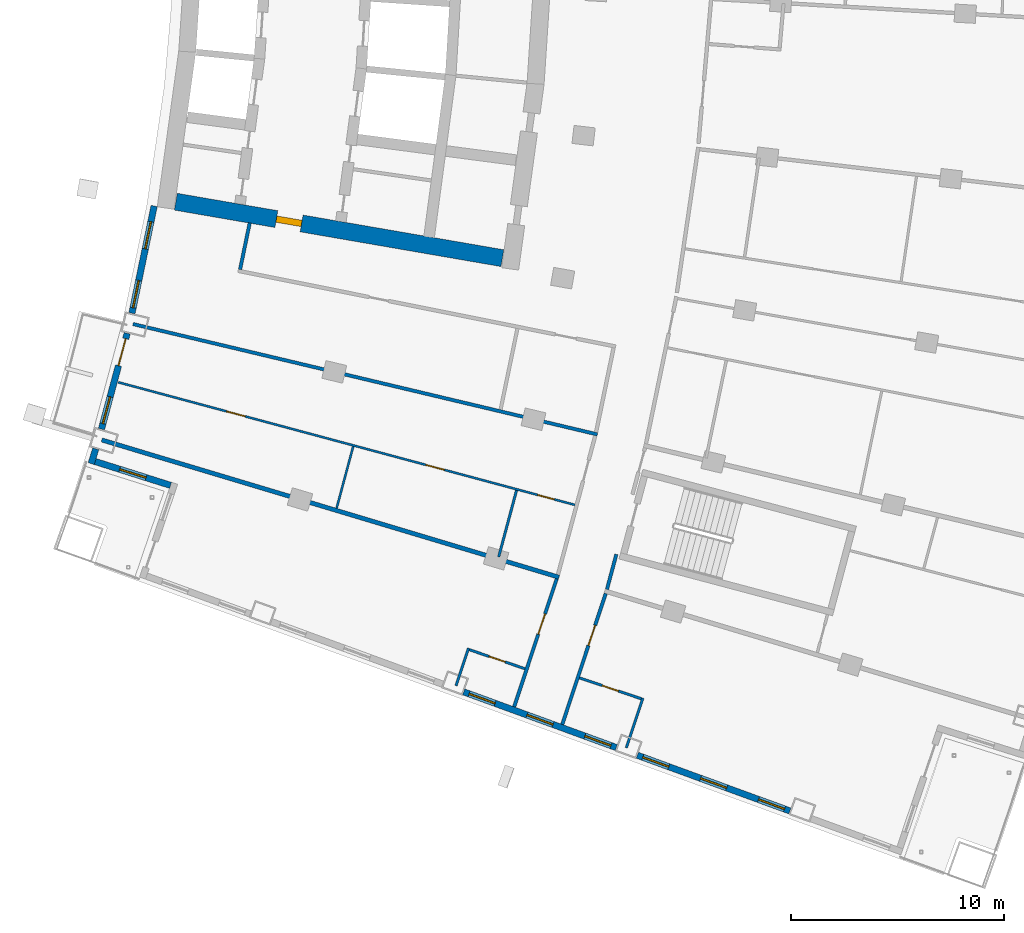
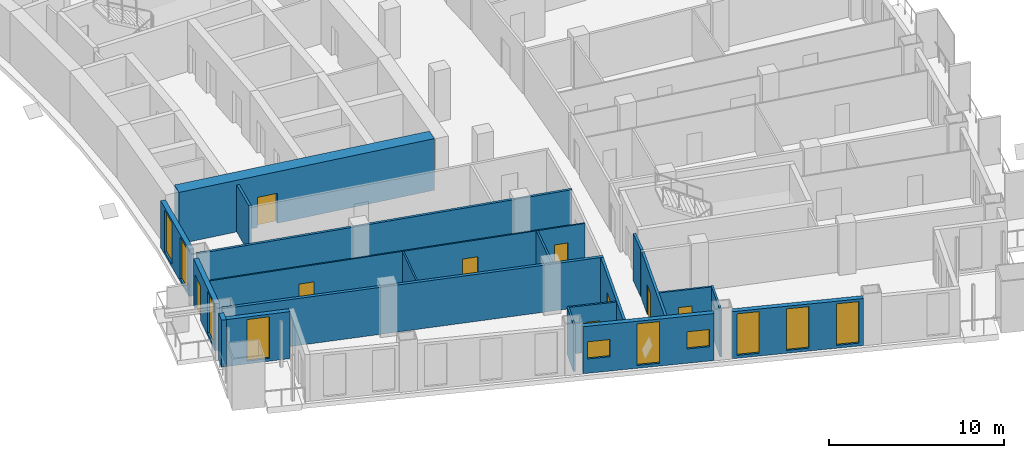
# One storey, part 13 of 25: 20 walls, 10 windows, 9 doors, 19 openings.
"""IFC4 building model written with IfcOpenShell, lengths in metres."""

from ifc_helpers import new_model, si_unit, direction, frame, frame_2d, origin, place, context, subcontext, project, spatial, rectangle, extrude, material, layer, layer_set, type_object, element, fill, save


model = new_model("IFC4")

# Units and contexts
model_context = context("Model", 3, precision=1e-05, world=origin(), true_north=direction((0.0, 1.0)))
body_context = subcontext(model_context, "Body", "Model", "MODEL_VIEW")
ifc_project = project(units=[si_unit("LENGTHUNIT", "METRE"), si_unit("AREAUNIT", "SQUARE_METRE"), si_unit("VOLUMEUNIT", "CUBIC_METRE"), si_unit("PLANEANGLEUNIT", "RADIAN"), si_unit("MASSUNIT", "GRAM", prefix="KILO")], contexts=[model_context])

# Site, building, storey
site_placement = place(None, origin())
site = spatial("IfcSite", under=ifc_project, at=site_placement, CompositionType="ELEMENT")
building_placement = place(site_placement, origin())
building = spatial("IfcBuilding", under=site, at=building_placement, Name="Alderwake Tower", CompositionType="ELEMENT")
storey_placement = place(building_placement, frame((0.0, 0.0, 89.60009765625)))
storey = spatial("IfcBuildingStorey", under=building, at=storey_placement, Name="L21", CompositionType="ELEMENT", Elevation=89.60009765625)

# Wall, opening, door
ifc_material_1 = material(Name="Concrete C70/85", Category="concrete")
ifc_layer_1 = layer(ifc_material_1, 0.800048828125)
ifc_layer_set_1 = layer_set([ifc_layer_1], Name="Core wall outer 800 C70-85")
wall_type_1 = type_object("IfcWallType", Name="Core wall outer 800 C70-85", PredefinedType="SHEAR", material=ifc_layer_set_1)
wall_1_placement = place(storey_placement, frame((31.20458984375, 41.776611328125, 0.0), z_axis=(0.0, 0.0, 1.0), x_axis=(-0.985386537175, 0.170333121719, 0.0)))
wall_1 = element("IfcWall", 1, at=wall_1_placement, inside=storey, type_object=wall_type_1, Name="Core wall CW.071", PredefinedType="SHEAR", context=body_context, shape_type="SweptSolid", body=[
    extrude(rectangle(XDim=15.537109375, YDim=0.800048828125, at=frame_2d((7.7685546875, 0.0))), origin(), (0.0, 0.0, 1.0), 3.599853515625),
])
opening_1_placement = place(wall_1_placement, frame((9.5537109375, 0.0, 0.0)))
opening_1 = element("IfcOpeningElement", 2, at=opening_1_placement, cuts=wall_1, Name="Opening C003", PredefinedType="OPENING", context=body_context, shape_type="SweptSolid", body=[
    extrude(rectangle(XDim=1.199951171875, YDim=2.10009765625, at=frame_2d((0.60009765625, 1.050048828125))), frame((0.0, 0.409912109375, 0.0), z_axis=(0.0, -1.0, 0.0), x_axis=(1.0, 0.0, 0.0)), (0.0, 0.0, 1.0), 0.820068359375),
])
ifc_material_2 = material(Name="Steel-framed fire door leaf", Category="steel")
door_type_1 = type_object("IfcDoorType", Name="Core lobby exit door 1200 fire-rated", OperationType="SINGLE_SWING_LEFT", PredefinedType="DOOR", material=ifc_material_2)
door_1_placement = place(opening_1_placement, origin())
door_1 = element("IfcDoor", 3, at=door_1_placement, inside=storey, type_object=door_type_1, Name="Lobby door", OperationType="SINGLE_SWING_LEFT", OverallHeight=2.10009765625, OverallWidth=1.199951171875, PredefinedType="DOOR", context=body_context, shape_type="SweptSolid", body=[
    extrude(rectangle(XDim=1.199951171875, YDim=2.10009765625, at=frame_2d((0.60009765625, 1.050048828125))), frame((0.0, 0.14990234375, 0.0), z_axis=(0.0, -1.0, 0.0), x_axis=(1.0, 0.0, 0.0)), (0.0, 0.0, 1.0), 0.300048828125),
])
fill(opening_1, door_1)

# Walls
ifc_material_3 = material(Name="Gypsum board on metal studs, rated")
ifc_layer_2 = layer(ifc_material_3, 0.159912109375)
ifc_layer_set_2 = layer_set([ifc_layer_2], Name="Corridor wall 160")
wall_type_2 = type_object("IfcWallType", Name="Corridor wall 160", PredefinedType="PARTITIONING", material=ifc_layer_set_2)
wall_2_placement = place(storey_placement, frame((13.884033203125, 38.68798828125, 0.0), z_axis=(0.0, 0.0, 1.0), x_axis=(0.972893462073, -0.231253781493, 0.0)))
element("IfcWall", 4, at=wall_2_placement, inside=storey, type_object=wall_type_2, Name="WL/L21/W15", PredefinedType="PARTITIONING", context=body_context, shape_type="SweptSolid", body=[
    extrude(rectangle(XDim=22.38037109375, YDim=0.159912109375, at=frame_2d((11.190185546875, 0.0))), origin(), (0.0, 0.0, 1.0), 3.27978515625),
])
wall_3_placement = place(storey_placement, frame((19.35888671875, 43.430908203125, 0.0), z_axis=(0.0, 0.0, 1.0), x_axis=(-0.202554916658, -0.979270905183, 0.0)))
element("IfcWall", 5, at=wall_3_placement, inside=storey, type_object=wall_type_2, Name="WL/L21/W19", PredefinedType="PARTITIONING", context=body_context, shape_type="SweptSolid", body=[
    extrude(rectangle(XDim=2.229736328125, YDim=0.159912109375, at=frame_2d((1.11474609375, 0.0))), origin(), (0.0, 0.0, 1.0), 3.27978515625),
])

# Wall, opening, door
wall_4_placement = place(storey_placement, frame((31.7548828125, 20.739013671875, 0.0), z_axis=(0.0, 0.0, 1.0), x_axis=(0.31554473692, 0.948910701279, 0.0)))
wall_4 = element("IfcWall", 6, at=wall_4_placement, inside=storey, type_object=wall_type_2, Name="WL/L21/W21", PredefinedType="PARTITIONING", context=body_context, shape_type="SweptSolid", body=[
    extrude(rectangle(XDim=6.327392578125, YDim=0.159912109375, at=frame_2d((3.16357421875, 0.0))), origin(), (0.0, 0.0, 1.0), 3.27978515625),
])
opening_2_placement = place(wall_4_placement, frame((3.59130859375, 0.0, 0.0)))
opening_2 = element("IfcOpeningElement", 7, at=opening_2_placement, cuts=wall_4, Name="Opening R05-U09.1", PredefinedType="OPENING", context=body_context, shape_type="SweptSolid", body=[
    extrude(rectangle(XDim=1.0, YDim=2.10009765625, at=frame_2d((0.5, 1.050048828125))), frame((0.0, 0.08984375, 0.0), z_axis=(0.0, -1.0, 0.0), x_axis=(1.0, 0.0, 0.0)), (0.0, 0.0, 1.0), 0.179931640625),
])
ifc_material_4 = material(Name="Solid timber leaf in steel frame", Category="steel")
door_type_2 = type_object("IfcDoorType", Name="Flat entrance door 1000 fire-rated", OperationType="SINGLE_SWING_LEFT", PredefinedType="DOOR", material=ifc_material_4)
door_2_placement = place(opening_2_placement, origin())
door_2 = element("IfcDoor", 8, at=door_2_placement, inside=storey, type_object=door_type_2, Name="DR/L21/U09.1", OperationType="SINGLE_SWING_LEFT", OverallHeight=2.10009765625, OverallWidth=1.0, PredefinedType="DOOR", context=body_context, shape_type="SweptSolid", body=[
    extrude(rectangle(XDim=1.0, YDim=2.10009765625, at=frame_2d((0.5, 1.050048828125))), frame((0.0, 0.02490234375, 0.0), z_axis=(0.0, -1.0, 0.0), x_axis=(1.0, 0.0, 0.0)), (0.0, 0.0, 1.0), 0.050048828125),
])
fill(opening_2, door_2)

wall_5_placement = place(storey_placement, frame((36.049560546875, 26.052978515625, 0.0), z_axis=(0.0, 0.0, 1.0), x_axis=(-0.315151894598, -0.949041244273, 0.0)))
wall_5 = element("IfcWall", 9, at=wall_5_placement, inside=storey, type_object=wall_type_2, Name="WL/L21/W24", PredefinedType="PARTITIONING", context=body_context, shape_type="SweptSolid", body=[
    extrude(rectangle(XDim=6.468505859375, YDim=0.159912109375, at=frame_2d((3.234375, 0.0))), origin(), (0.0, 0.0, 1.0), 3.27978515625),
])
opening_3_placement = place(wall_5_placement, frame((1.570068359375, 0.0, 0.0)))
opening_3 = element("IfcOpeningElement", 10, at=opening_3_placement, cuts=wall_5, Name="Opening R05-U03.1", PredefinedType="OPENING", context=body_context, shape_type="SweptSolid", body=[
    extrude(rectangle(XDim=1.0, YDim=2.10009765625, at=frame_2d((0.5, 1.050048828125))), frame((0.0, 0.08984375, 0.0), z_axis=(0.0, -1.0, 0.0), x_axis=(1.0, 0.0, 0.0)), (0.0, 0.0, 1.0), 0.179931640625),
])
door_3_placement = place(opening_3_placement, origin())
door_3 = element("IfcDoor", 11, at=door_3_placement, inside=storey, type_object=door_type_2, Name="DR/L21/U03.1", OperationType="SINGLE_SWING_LEFT", OverallHeight=2.10009765625, OverallWidth=1.0, PredefinedType="DOOR", context=body_context, shape_type="SweptSolid", body=[
    extrude(rectangle(XDim=1.0, YDim=2.10009765625, at=frame_2d((0.5, 1.050048828125))), frame((0.0, 0.02490234375, 0.0), z_axis=(0.0, -1.0, 0.0), x_axis=(1.0, 0.0, 0.0)), (0.0, 0.0, 1.0), 0.050048828125),
])
fill(opening_3, door_3)

# Walls
wall_6_placement = place(storey_placement, frame((36.10693359375, 26.24462890625, 0.0), z_axis=(0.0, 0.0, 1.0), x_axis=(0.259346865847, 0.965784242559, 0.0)))
element("IfcWall", 12, at=wall_6_placement, inside=storey, type_object=wall_type_2, Name="WL/L21/W26", PredefinedType="PARTITIONING", context=body_context, shape_type="SweptSolid", body=[
    extrude(rectangle(XDim=1.704833984375, YDim=0.159912109375, at=frame_2d((0.8525390625, 0.0))), origin(), (0.0, 0.0, 1.0), 3.27978515625),
])
ifc_material_5 = material(Name="Precast concrete C50/60 spandrel panel", Category="concrete")
ifc_layer_3 = layer(ifc_material_5, 0.300048828125)
ifc_layer_set_3 = layer_set([ifc_layer_3], Name="External wall EW1 Precast concrete C50/60 spandrel")
wall_type_3 = type_object("IfcWallType", Name="External wall EW1 Precast concrete C50/60 spandrel", PredefinedType="SOLIDWALL", material=ifc_layer_set_3)
wall_7_placement = place(storey_placement, frame((12.14013671875, 32.83837890625, 0.0), z_axis=(0.0, 0.0, 1.0), x_axis=(-0.294604532955, -0.955619259518, 0.0)))
element("IfcWall", 13, at=wall_7_placement, inside=storey, type_object=wall_type_3, Name="External wall 1", PredefinedType="SOLIDWALL", context=body_context, shape_type="SweptSolid", body=[
    extrude(rectangle(XDim=0.7275390625, YDim=0.300048828125, at=frame_2d((0.36376953125, 0.0))), origin(), (0.0, 0.0, 1.0), 3.27978515625),
])

# Wall, openings, windows
wall_8_placement = place(storey_placement, frame((14.878173828125, 44.223388671875, 0.0), z_axis=(0.0, 0.0, 1.0), x_axis=(-0.202723539143, -0.979236011734, 0.0)))
wall_8 = element("IfcWall", 14, at=wall_8_placement, inside=storey, type_object=wall_type_3, Name="External wall 35", PredefinedType="SOLIDWALL", context=body_context, shape_type="SweptSolid", body=[
    extrude(rectangle(XDim=5.134033203125, YDim=0.300048828125, at=frame_2d((2.56689453125, 0.0))), origin(), (0.0, 0.0, 1.0), 3.27978515625),
])
opening_4_placement = place(wall_8_placement, frame((0.75634765625, 0.0, 0.199951171875)))
opening_4 = element("IfcOpeningElement", 15, at=opening_4_placement, cuts=wall_8, Name="Opening W1", PredefinedType="OPENING", context=body_context, shape_type="SweptSolid", body=[
    extrude(rectangle(XDim=1.300048828125, YDim=2.89990234375, at=frame_2d((0.64990234375, 1.449951171875))), frame((0.0, 0.159912109375, 0.0), z_axis=(0.0, -1.0, 0.0), x_axis=(1.0, 0.0, 0.0)), (0.0, 0.0, 1.0), 0.320068359375),
])
opening_5_placement = place(wall_8_placement, frame((3.569091796875, 0.0, 0.199951171875)))
opening_5 = element("IfcOpeningElement", 16, at=opening_5_placement, cuts=wall_8, Name="Opening W1", PredefinedType="OPENING", context=body_context, shape_type="SweptSolid", body=[
    extrude(rectangle(XDim=1.300048828125, YDim=2.89990234375, at=frame_2d((0.64990234375, 1.449951171875))), frame((0.0, 0.159912109375, 0.0), z_axis=(0.0, -1.0, 0.0), x_axis=(1.0, 0.0, 0.0)), (0.0, 0.0, 1.0), 0.320068359375),
])
ifc_material_6 = material(Name="Bronze tinted glass in aluminium frame", Category="aluminium")
window_type_1 = type_object("IfcWindowType", Name="Window W1 tall fixed and vent", PartitioningType="DOUBLE_PANEL_VERTICAL", PredefinedType="WINDOW", material=ifc_material_6)
window_1_placement = place(opening_4_placement, origin())
window_1 = element("IfcWindow", 17, at=window_1_placement, inside=storey, type_object=window_type_1, Name="Window W1 tall fixed and vent", OverallHeight=2.89990234375, OverallWidth=1.300048828125, PartitioningType="DOUBLE_PANEL_VERTICAL", PredefinedType="WINDOW", context=body_context, shape_type="SweptSolid", body=[
    extrude(rectangle(XDim=1.300048828125, YDim=2.89990234375, at=frame_2d((0.64990234375, 1.449951171875))), frame((0.0, 0.030029296875, 0.0), z_axis=(0.0, -1.0, 0.0), x_axis=(1.0, 0.0, 0.0)), (0.0, 0.0, 1.0), 0.06005859375),
])
fill(opening_4, window_1)
window_2_placement = place(opening_5_placement, origin())
window_2 = element("IfcWindow", 18, at=window_2_placement, inside=storey, type_object=window_type_1, Name="Window W1 tall fixed and vent", OverallHeight=2.89990234375, OverallWidth=1.300048828125, PartitioningType="DOUBLE_PANEL_VERTICAL", PredefinedType="WINDOW", context=body_context, shape_type="SweptSolid", body=[
    extrude(rectangle(XDim=1.300048828125, YDim=2.89990234375, at=frame_2d((0.64990234375, 1.449951171875))), frame((0.0, 0.030029296875, 0.0), z_axis=(0.0, -1.0, 0.0), x_axis=(1.0, 0.0, 0.0)), (0.0, 0.0, 1.0), 0.06005859375),
])
fill(opening_5, window_2)

# Wall, openings, door, window
wall_9_placement = place(storey_placement, frame((13.61328125, 38.254150390625, 0.0), z_axis=(0.0, 0.0, 1.0), x_axis=(-0.259468933642, -0.965751454814, 0.0)))
wall_9 = element("IfcWall", 19, at=wall_9_placement, inside=storey, type_object=wall_type_3, Name="External wall 36", PredefinedType="SOLIDWALL", context=body_context, shape_type="SweptSolid", body=[
    extrude(rectangle(XDim=4.65087890625, YDim=0.300048828125, at=frame_2d((2.325439453125, 0.0))), origin(), (0.0, 0.0, 1.0), 3.27978515625),
])
opening_6_placement = place(wall_9_placement, frame((0.26708984375, 0.0, 0.0)))
opening_6 = element("IfcOpeningElement", 20, at=opening_6_placement, cuts=wall_9, Name="Opening D15", PredefinedType="OPENING", context=body_context, shape_type="SweptSolid", body=[
    extrude(rectangle(XDim=1.300048828125, YDim=2.39990234375, at=frame_2d((0.64990234375, 1.199951171875))), frame((0.0, 0.159912109375, 0.0), z_axis=(0.0, -1.0, 0.0), x_axis=(1.0, 0.0, 0.0)), (0.0, 0.0, 1.0), 0.320068359375),
])
opening_7_placement = place(wall_9_placement, frame((3.083984375, 0.0, 0.199951171875)))
opening_7 = element("IfcOpeningElement", 21, at=opening_7_placement, cuts=wall_9, Name="Opening W1", PredefinedType="OPENING", context=body_context, shape_type="SweptSolid", body=[
    extrude(rectangle(XDim=1.300048828125, YDim=2.89990234375, at=frame_2d((0.64990234375, 1.449951171875))), frame((0.0, 0.159912109375, 0.0), z_axis=(0.0, -1.0, 0.0), x_axis=(1.0, 0.0, 0.0)), (0.0, 0.0, 1.0), 0.320068359375),
])
ifc_material_7 = material(Name="Bronze tinted glass in aluminium frame", Category="aluminium")
door_type_3 = type_object("IfcDoorType", Name="Balcony door BD sliding", OperationType="SLIDING_TO_LEFT", PredefinedType="DOOR", material=ifc_material_7)
door_4_placement = place(opening_6_placement, origin())
door_4 = element("IfcDoor", 22, at=door_4_placement, inside=storey, type_object=door_type_3, Name="Door D15", OperationType="SLIDING_TO_LEFT", OverallHeight=2.39990234375, OverallWidth=1.300048828125, PredefinedType="DOOR", context=body_context, shape_type="SweptSolid", body=[
    extrude(rectangle(XDim=1.300048828125, YDim=2.39990234375, at=frame_2d((0.64990234375, 1.199951171875))), frame((0.0, 0.02490234375, 0.0), z_axis=(0.0, -1.0, 0.0), x_axis=(1.0, 0.0, 0.0)), (0.0, 0.0, 1.0), 0.050048828125),
])
fill(opening_6, door_4)
window_3_placement = place(opening_7_placement, origin())
window_3 = element("IfcWindow", 23, at=window_3_placement, inside=storey, type_object=window_type_1, Name="Window W1 tall fixed and vent", OverallHeight=2.89990234375, OverallWidth=1.300048828125, PartitioningType="DOUBLE_PANEL_VERTICAL", PredefinedType="WINDOW", context=body_context, shape_type="SweptSolid", body=[
    extrude(rectangle(XDim=1.300048828125, YDim=2.89990234375, at=frame_2d((0.64990234375, 1.449951171875))), frame((0.0, 0.030029296875, 0.0), z_axis=(0.0, -1.0, 0.0), x_axis=(1.0, 0.0, 0.0)), (0.0, 0.0, 1.0), 0.06005859375),
])
fill(opening_7, window_3)

# Wall, opening, window
ifc_material_8 = material(Name="Bronze metal cladding on lightweight framing")
ifc_layer_4 = layer(ifc_material_8, 0.300048828125)
ifc_layer_set_4 = layer_set([ifc_layer_4], Name="External wall EW2 bronze metal cladding")
wall_type_4 = type_object("IfcWallType", Name="External wall EW2 bronze metal cladding", PredefinedType="SOLIDWALL", material=ifc_layer_set_4)
wall_10_placement = place(storey_placement, frame((12.113037109375, 32.2412109375, 0.0), z_axis=(0.0, 0.0, 1.0), x_axis=(0.953458128271, -0.301525451054, 0.0)))
wall_10 = element("IfcWall", 24, at=wall_10_placement, inside=storey, type_object=wall_type_4, Name="External wall 2", PredefinedType="SOLIDWALL", context=body_context, shape_type="SweptSolid", body=[
    extrude(rectangle(XDim=3.705810546875, YDim=0.300048828125, at=frame_2d((1.85302734375, 0.0))), origin(), (0.0, 0.0, 1.0), 3.27978515625),
])
opening_8_placement = place(wall_10_placement, frame((1.202880859375, 0.0, 0.199951171875)))
opening_8 = element("IfcOpeningElement", 25, at=opening_8_placement, cuts=wall_10, Name="Opening W1", PredefinedType="OPENING", context=body_context, shape_type="SweptSolid", body=[
    extrude(rectangle(XDim=1.300048828125, YDim=2.89990234375, at=frame_2d((0.64990234375, 1.449951171875))), frame((0.0, 0.159912109375, 0.0), z_axis=(0.0, -1.0, 0.0), x_axis=(1.0, 0.0, 0.0)), (0.0, 0.0, 1.0), 0.320068359375),
])
window_4_placement = place(opening_8_placement, origin())
window_4 = element("IfcWindow", 26, at=window_4_placement, inside=storey, type_object=window_type_1, Name="Window W1 tall fixed and vent", OverallHeight=2.89990234375, OverallWidth=1.300048828125, PartitioningType="DOUBLE_PANEL_VERTICAL", PredefinedType="WINDOW", context=body_context, shape_type="SweptSolid", body=[
    extrude(rectangle(XDim=1.300048828125, YDim=2.89990234375, at=frame_2d((0.64990234375, 1.449951171875))), frame((0.0, 0.030029296875, 0.0), z_axis=(0.0, -1.0, 0.0), x_axis=(1.0, 0.0, 0.0)), (0.0, 0.0, 1.0), 0.06005859375),
])
fill(opening_8, window_4)

# Wall, openings, windows
wall_11_placement = place(storey_placement, frame((29.39306640625, 21.44091796875, 0.0), z_axis=(0.0, 0.0, 1.0), x_axis=(0.939383555457, -0.342868102536, 0.0)))
wall_11 = element("IfcWall", 27, at=wall_11_placement, inside=storey, type_object=wall_type_4, Name="External wall 6", PredefinedType="SOLIDWALL", context=body_context, shape_type="SweptSolid", body=[
    extrude(rectangle(XDim=7.612548828125, YDim=0.300048828125, at=frame_2d((3.80615234375, 0.0))), origin(), (0.0, 0.0, 1.0), 3.27978515625),
])
opening_9_placement = place(wall_11_placement, frame((0.267333984375, 0.0, 1.0)))
opening_9 = element("IfcOpeningElement", 28, at=opening_9_placement, cuts=wall_11, Name="Opening W2", PredefinedType="OPENING", context=body_context, shape_type="SweptSolid", body=[
    extrude(rectangle(XDim=1.300048828125, YDim=1.199951171875, at=frame_2d((0.64990234375, 0.60009765625))), frame((0.0, 0.159912109375, 0.0), z_axis=(0.0, -1.0, 0.0), x_axis=(1.0, 0.0, 0.0)), (0.0, 0.0, 1.0), 0.320068359375),
])
opening_10_placement = place(wall_11_placement, frame((3.15625, 0.0, 0.199951171875)))
opening_10 = element("IfcOpeningElement", 29, at=opening_10_placement, cuts=wall_11, Name="Opening W1", PredefinedType="OPENING", context=body_context, shape_type="SweptSolid", body=[
    extrude(rectangle(XDim=1.300048828125, YDim=2.89990234375, at=frame_2d((0.64990234375, 1.449951171875))), frame((0.0, 0.159912109375, 0.0), z_axis=(0.0, -1.0, 0.0), x_axis=(1.0, 0.0, 0.0)), (0.0, 0.0, 1.0), 0.320068359375),
])
opening_11_placement = place(wall_11_placement, frame((6.045166015625, 0.0, 1.0)))
opening_11 = element("IfcOpeningElement", 30, at=opening_11_placement, cuts=wall_11, Name="Opening W2", PredefinedType="OPENING", context=body_context, shape_type="SweptSolid", body=[
    extrude(rectangle(XDim=1.300048828125, YDim=1.199951171875, at=frame_2d((0.64990234375, 0.60009765625))), frame((0.0, 0.159912109375, 0.0), z_axis=(0.0, -1.0, 0.0), x_axis=(1.0, 0.0, 0.0)), (0.0, 0.0, 1.0), 0.320068359375),
])
window_5_placement = place(opening_10_placement, origin())
window_5 = element("IfcWindow", 31, at=window_5_placement, inside=storey, type_object=window_type_1, Name="Window W1 tall fixed and vent", OverallHeight=2.89990234375, OverallWidth=1.300048828125, PartitioningType="DOUBLE_PANEL_VERTICAL", PredefinedType="WINDOW", context=body_context, shape_type="SweptSolid", body=[
    extrude(rectangle(XDim=1.300048828125, YDim=2.89990234375, at=frame_2d((0.64990234375, 1.449951171875))), frame((0.0, 0.030029296875, 0.0), z_axis=(0.0, -1.0, 0.0), x_axis=(1.0, 0.0, 0.0)), (0.0, 0.0, 1.0), 0.06005859375),
])
fill(opening_10, window_5)
ifc_material_9 = material(Name="Bronze tinted glass in aluminium frame", Category="aluminium")
window_type_2 = type_object("IfcWindowType", Name="Window W2 kitchen and bath", PartitioningType="SINGLE_PANEL", PredefinedType="WINDOW", material=ifc_material_9)
window_6_placement = place(opening_9_placement, origin())
window_6 = element("IfcWindow", 32, at=window_6_placement, inside=storey, type_object=window_type_2, Name="Window W2 kitchen and bath", OverallHeight=1.199951171875, OverallWidth=1.300048828125, PartitioningType="SINGLE_PANEL", PredefinedType="WINDOW", context=body_context, shape_type="SweptSolid", body=[
    extrude(rectangle(XDim=1.300048828125, YDim=1.199951171875, at=frame_2d((0.64990234375, 0.60009765625))), frame((0.0, 0.030029296875, 0.0), z_axis=(0.0, -1.0, 0.0), x_axis=(1.0, 0.0, 0.0)), (0.0, 0.0, 1.0), 0.06005859375),
])
fill(opening_9, window_6)
window_7_placement = place(opening_11_placement, origin())
window_7 = element("IfcWindow", 33, at=window_7_placement, inside=storey, type_object=window_type_2, Name="Window W2 kitchen and bath", OverallHeight=1.199951171875, OverallWidth=1.300048828125, PartitioningType="SINGLE_PANEL", PredefinedType="WINDOW", context=body_context, shape_type="SweptSolid", body=[
    extrude(rectangle(XDim=1.300048828125, YDim=1.199951171875, at=frame_2d((0.64990234375, 0.60009765625))), frame((0.0, 0.030029296875, 0.0), z_axis=(0.0, -1.0, 0.0), x_axis=(1.0, 0.0, 0.0)), (0.0, 0.0, 1.0), 0.06005859375),
])
fill(opening_11, window_7)

wall_12_placement = place(storey_placement, frame((37.534423828125, 18.46923828125, 0.0), z_axis=(0.0, 0.0, 1.0), x_axis=(0.939373225656, -0.342896402606, 0.0)))
wall_12 = element("IfcWall", 34, at=wall_12_placement, inside=storey, type_object=wall_type_4, Name="External wall 7", PredefinedType="SOLIDWALL", context=body_context, shape_type="SweptSolid", body=[
    extrude(rectangle(XDim=7.612548828125, YDim=0.300048828125, at=frame_2d((3.80615234375, 0.0))), origin(), (0.0, 0.0, 1.0), 3.27978515625),
])
opening_12_placement = place(wall_12_placement, frame((0.267333984375, 0.0, 0.199951171875)))
opening_12 = element("IfcOpeningElement", 35, at=opening_12_placement, cuts=wall_12, Name="Opening W1", PredefinedType="OPENING", context=body_context, shape_type="SweptSolid", body=[
    extrude(rectangle(XDim=1.300048828125, YDim=2.89990234375, at=frame_2d((0.64990234375, 1.449951171875))), frame((0.0, 0.159912109375, 0.0), z_axis=(0.0, -1.0, 0.0), x_axis=(1.0, 0.0, 0.0)), (0.0, 0.0, 1.0), 0.320068359375),
])
opening_13_placement = place(wall_12_placement, frame((3.15625, 0.0, 0.199951171875)))
opening_13 = element("IfcOpeningElement", 36, at=opening_13_placement, cuts=wall_12, Name="Opening W1", PredefinedType="OPENING", context=body_context, shape_type="SweptSolid", body=[
    extrude(rectangle(XDim=1.300048828125, YDim=2.89990234375, at=frame_2d((0.64990234375, 1.449951171875))), frame((0.0, 0.159912109375, 0.0), z_axis=(0.0, -1.0, 0.0), x_axis=(1.0, 0.0, 0.0)), (0.0, 0.0, 1.0), 0.320068359375),
])
opening_14_placement = place(wall_12_placement, frame((6.045166015625, 0.0, 0.199951171875)))
opening_14 = element("IfcOpeningElement", 37, at=opening_14_placement, cuts=wall_12, Name="Opening W1", PredefinedType="OPENING", context=body_context, shape_type="SweptSolid", body=[
    extrude(rectangle(XDim=1.300048828125, YDim=2.89990234375, at=frame_2d((0.64990234375, 1.449951171875))), frame((0.0, 0.159912109375, 0.0), z_axis=(0.0, -1.0, 0.0), x_axis=(1.0, 0.0, 0.0)), (0.0, 0.0, 1.0), 0.320068359375),
])
window_8_placement = place(opening_12_placement, origin())
window_8 = element("IfcWindow", 38, at=window_8_placement, inside=storey, type_object=window_type_1, Name="Window W1 tall fixed and vent", OverallHeight=2.89990234375, OverallWidth=1.300048828125, PartitioningType="DOUBLE_PANEL_VERTICAL", PredefinedType="WINDOW", context=body_context, shape_type="SweptSolid", body=[
    extrude(rectangle(XDim=1.300048828125, YDim=2.89990234375, at=frame_2d((0.64990234375, 1.449951171875))), frame((0.0, 0.030029296875, 0.0), z_axis=(0.0, -1.0, 0.0), x_axis=(1.0, 0.0, 0.0)), (0.0, 0.0, 1.0), 0.06005859375),
])
fill(opening_12, window_8)
window_9_placement = place(opening_13_placement, origin())
window_9 = element("IfcWindow", 39, at=window_9_placement, inside=storey, type_object=window_type_1, Name="Window W1 tall fixed and vent", OverallHeight=2.89990234375, OverallWidth=1.300048828125, PartitioningType="DOUBLE_PANEL_VERTICAL", PredefinedType="WINDOW", context=body_context, shape_type="SweptSolid", body=[
    extrude(rectangle(XDim=1.300048828125, YDim=2.89990234375, at=frame_2d((0.64990234375, 1.449951171875))), frame((0.0, 0.030029296875, 0.0), z_axis=(0.0, -1.0, 0.0), x_axis=(1.0, 0.0, 0.0)), (0.0, 0.0, 1.0), 0.06005859375),
])
fill(opening_13, window_9)
window_10_placement = place(opening_14_placement, origin())
window_10 = element("IfcWindow", 40, at=window_10_placement, inside=storey, type_object=window_type_1, Name="Window W1 tall fixed and vent", OverallHeight=2.89990234375, OverallWidth=1.300048828125, PartitioningType="DOUBLE_PANEL_VERTICAL", PredefinedType="WINDOW", context=body_context, shape_type="SweptSolid", body=[
    extrude(rectangle(XDim=1.300048828125, YDim=2.89990234375, at=frame_2d((0.64990234375, 1.449951171875))), frame((0.0, 0.030029296875, 0.0), z_axis=(0.0, -1.0, 0.0), x_axis=(1.0, 0.0, 0.0)), (0.0, 0.0, 1.0), 0.06005859375),
])
fill(opening_14, window_10)

# Wall
ifc_material_10 = material(Name="Dense block masonry wall", Category="masonry")
ifc_layer_5 = layer(ifc_material_10, 0.199951171875)
ifc_layer_set_5 = layer_set([ifc_layer_5], Name="Party wall 200")
wall_type_5 = type_object("IfcWallType", Name="Party wall 200", PredefinedType="SOLIDWALL", material=ifc_layer_set_5)
wall_13_placement = place(storey_placement, frame((33.859619140625, 26.81494140625, 0.0), z_axis=(0.0, 0.0, 1.0), x_axis=(-0.95775179957, 0.287596054251, 0.0)))
element("IfcWall", 41, at=wall_13_placement, inside=storey, type_object=wall_type_5, Name="WL/L21/W03", PredefinedType="SOLIDWALL", context=body_context, shape_type="SweptSolid", body=[
    extrude(rectangle(XDim=22.382080078125, YDim=0.199951171875, at=frame_2d((11.19091796875, 0.0))), origin(), (0.0, 0.0, 1.0), 3.27978515625),
])

# Wall, openings, doors
ifc_material_11 = material(Name="Gypsum board on metal studs")
ifc_layer_6 = layer(ifc_material_11, 0.10009765625)
ifc_layer_set_6 = layer_set([ifc_layer_6], Name="Unit partition 100")
wall_type_6 = type_object("IfcWallType", Name="Unit partition 100", PredefinedType="PARTITIONING", material=ifc_layer_set_6)
wall_14_placement = place(storey_placement, frame((34.605712890625, 30.206787109375, 0.0), z_axis=(0.0, 0.0, 1.0), x_axis=(-0.965767846078, 0.259407917152, 0.0)))
wall_14 = element("IfcWall", 42, at=wall_14_placement, inside=storey, type_object=wall_type_6, Name="WL/L21/W64", PredefinedType="PARTITIONING", context=body_context, shape_type="SweptSolid", body=[
    extrude(rectangle(XDim=22.170654296875, YDim=0.10009765625, at=frame_2d((11.08544921875, 0.0))), origin(), (0.0, 0.0, 1.0), 3.27978515625),
])
opening_15_placement = place(wall_14_placement, frame((6.335205078125, 0.0, 0.0)))
opening_15 = element("IfcOpeningElement", 43, at=opening_15_placement, cuts=wall_14, Name="Opening R05-U10.1", PredefinedType="OPENING", context=body_context, shape_type="SweptSolid", body=[
    extrude(rectangle(XDim=0.89990234375, YDim=2.10009765625, at=frame_2d((0.449951171875, 1.050048828125))), frame((0.0, 0.06005859375, 0.0), z_axis=(0.0, -1.0, 0.0), x_axis=(1.0, 0.0, 0.0)), (0.0, 0.0, 1.0), 0.1201171875),
])
opening_16_placement = place(wall_14_placement, frame((1.010009765625, 0.0, 0.0)))
opening_16 = element("IfcOpeningElement", 44, at=opening_16_placement, cuts=wall_14, Name="Opening R05-U10.3", PredefinedType="OPENING", context=body_context, shape_type="SweptSolid", body=[
    extrude(rectangle(XDim=0.800048828125, YDim=2.10009765625, at=frame_2d((0.39990234375, 1.050048828125))), frame((0.0, 0.06005859375, 0.0), z_axis=(0.0, -1.0, 0.0), x_axis=(1.0, 0.0, 0.0)), (0.0, 0.0, 1.0), 0.1201171875),
])
opening_17_placement = place(wall_14_placement, frame((16.010498046875, 0.0, 0.0)))
opening_17 = element("IfcOpeningElement", 45, at=opening_17_placement, cuts=wall_14, Name="Opening R05-U10.4", PredefinedType="OPENING", context=body_context, shape_type="SweptSolid", body=[
    extrude(rectangle(XDim=0.89990234375, YDim=2.10009765625, at=frame_2d((0.449951171875, 1.050048828125))), frame((0.0, 0.06005859375, 0.0), z_axis=(0.0, -1.0, 0.0), x_axis=(1.0, 0.0, 0.0)), (0.0, 0.0, 1.0), 0.1201171875),
])
ifc_material_12 = material(Name="Painted timber leaf", Category="wood")
door_type_4 = type_object("IfcDoorType", Name="Bathroom door 800", OperationType="SINGLE_SWING_LEFT", PredefinedType="DOOR", material=ifc_material_12)
door_5_placement = place(opening_16_placement, origin())
door_5 = element("IfcDoor", 46, at=door_5_placement, inside=storey, type_object=door_type_4, Name="DR/L21/U10.3", OperationType="SINGLE_SWING_LEFT", OverallHeight=2.10009765625, OverallWidth=0.800048828125, PredefinedType="DOOR", context=body_context, shape_type="SweptSolid", body=[
    extrude(rectangle(XDim=0.800048828125, YDim=2.10009765625, at=frame_2d((0.39990234375, 1.050048828125))), frame((0.0, 0.02490234375, 0.0), z_axis=(0.0, -1.0, 0.0), x_axis=(1.0, 0.0, 0.0)), (0.0, 0.0, 1.0), 0.050048828125),
])
fill(opening_16, door_5)
ifc_material_13 = material(Name="Painted timber leaf", Category="wood")
door_type_5 = type_object("IfcDoorType", Name="Room door 900", OperationType="SINGLE_SWING_LEFT", PredefinedType="DOOR", material=ifc_material_13)
door_6_placement = place(opening_15_placement, origin())
door_6 = element("IfcDoor", 47, at=door_6_placement, inside=storey, type_object=door_type_5, Name="DR/L21/U10.1", OperationType="SINGLE_SWING_LEFT", OverallHeight=2.10009765625, OverallWidth=0.89990234375, PredefinedType="DOOR", context=body_context, shape_type="SweptSolid", body=[
    extrude(rectangle(XDim=0.89990234375, YDim=2.10009765625, at=frame_2d((0.449951171875, 1.050048828125))), frame((0.0, 0.02490234375, 0.0), z_axis=(0.0, -1.0, 0.0), x_axis=(1.0, 0.0, 0.0)), (0.0, 0.0, 1.0), 0.050048828125),
])
fill(opening_15, door_6)
door_7_placement = place(opening_17_placement, origin())
door_7 = element("IfcDoor", 48, at=door_7_placement, inside=storey, type_object=door_type_5, Name="DR/L21/U10.4", OperationType="SINGLE_SWING_LEFT", OverallHeight=2.10009765625, OverallWidth=0.89990234375, PredefinedType="DOOR", context=body_context, shape_type="SweptSolid", body=[
    extrude(rectangle(XDim=0.89990234375, YDim=2.10009765625, at=frame_2d((0.449951171875, 1.050048828125))), frame((0.0, 0.02490234375, 0.0), z_axis=(0.0, -1.0, 0.0), x_axis=(1.0, 0.0, 0.0)), (0.0, 0.0, 1.0), 0.050048828125),
])
fill(opening_17, door_7)

# Walls
wall_15_placement = place(storey_placement, frame((24.208984375, 32.94580078125, 0.0), z_axis=(0.0, 0.0, 1.0), x_axis=(-0.259310212645, -0.965794084481, 0.0)))
element("IfcWall", 49, at=wall_15_placement, inside=storey, type_object=wall_type_6, Name="WL/L21/W65", PredefinedType="PARTITIONING", context=body_context, shape_type="SweptSolid", body=[
    extrude(rectangle(XDim=2.996826171875, YDim=0.10009765625, at=frame_2d((1.49853515625, 0.0))), origin(), (0.0, 0.0, 1.0), 3.27978515625),
])
ifc_material_14 = material(Name="Moisture resistant gypsum board on metal studs")
ifc_layer_7 = layer(ifc_material_14, 0.1201171875)
ifc_layer_set_7 = layer_set([ifc_layer_7], Name="Wet room partition 120")
wall_type_7 = type_object("IfcWallType", Name="Wet room partition 120", PredefinedType="PARTITIONING", material=ifc_layer_set_7)
wall_16_placement = place(storey_placement, frame((29.616943359375, 23.495849609375, 0.0), z_axis=(0.0, 0.0, 1.0), x_axis=(-0.315242462823, -0.949011164125, 0.0)))
element("IfcWall", 50, at=wall_16_placement, inside=storey, type_object=wall_type_7, Name="WL/L21/W44", PredefinedType="PARTITIONING", context=body_context, shape_type="SweptSolid", body=[
    extrude(rectangle(XDim=1.858642578125, YDim=0.1201171875, at=frame_2d((0.92919921875, 0.0))), origin(), (0.0, 0.0, 1.0), 3.27978515625),
])
wall_17_placement = place(storey_placement, frame((31.867919921875, 30.8876953125, 0.0), z_axis=(0.0, 0.0, 1.0), x_axis=(-0.259149206489, -0.96583729933, 0.0)))
element("IfcWall", 51, at=wall_17_placement, inside=storey, type_object=wall_type_7, Name="WL/L21/W48", PredefinedType="PARTITIONING", context=body_context, shape_type="SweptSolid", body=[
    extrude(rectangle(XDim=3.2294921875, YDim=0.1201171875, at=frame_2d((1.61474609375, 0.0))), origin(), (0.0, 0.0, 1.0), 3.27978515625),
])

# Wall, opening, door
wall_18_placement = place(storey_placement, frame((32.264404296875, 22.52587890625, 0.0), z_axis=(0.0, 0.0, 1.0), x_axis=(-0.946049080569, 0.324023358964, 0.0)))
wall_18 = element("IfcWall", 52, at=wall_18_placement, inside=storey, type_object=wall_type_7, Name="WL/L21/W49", PredefinedType="PARTITIONING", context=body_context, shape_type="SweptSolid", body=[
    extrude(rectangle(XDim=2.758544921875, YDim=0.1201171875, at=frame_2d((1.37939453125, 0.0))), origin(), (0.0, 0.0, 1.0), 3.27978515625),
])
opening_18_placement = place(wall_18_placement, frame((0.979248046875, 0.0, 0.0)))
opening_18 = element("IfcOpeningElement", 53, at=opening_18_placement, cuts=wall_18, Name="Opening R05-U09.2", PredefinedType="OPENING", context=body_context, shape_type="SweptSolid", body=[
    extrude(rectangle(XDim=0.800048828125, YDim=2.10009765625, at=frame_2d((0.39990234375, 1.050048828125))), frame((0.0, 0.070068359375, 0.0), z_axis=(0.0, -1.0, 0.0), x_axis=(1.0, 0.0, 0.0)), (0.0, 0.0, 1.0), 0.14013671875),
])
door_8_placement = place(opening_18_placement, origin())
door_8 = element("IfcDoor", 54, at=door_8_placement, inside=storey, type_object=door_type_4, Name="DR/L21/U09.2", OperationType="SINGLE_SWING_LEFT", OverallHeight=2.10009765625, OverallWidth=0.800048828125, PredefinedType="DOOR", context=body_context, shape_type="SweptSolid", body=[
    extrude(rectangle(XDim=0.800048828125, YDim=2.10009765625, at=frame_2d((0.39990234375, 1.050048828125))), frame((0.0, 0.02490234375, 0.0), z_axis=(0.0, -1.0, 0.0), x_axis=(1.0, 0.0, 0.0)), (0.0, 0.0, 1.0), 0.050048828125),
])
fill(opening_18, door_8)

# Wall
wall_19_placement = place(storey_placement, frame((37.01708984375, 18.819091796875, 0.0), z_axis=(0.0, 0.0, 1.0), x_axis=(0.314739948462, 0.949177941612, 0.0)))
element("IfcWall", 55, at=wall_19_placement, inside=storey, type_object=wall_type_7, Name="WL/L21/W51", PredefinedType="PARTITIONING", context=body_context, shape_type="SweptSolid", body=[
    extrude(rectangle(XDim=2.462158203125, YDim=0.1201171875, at=frame_2d((1.23095703125, 0.0))), origin(), (0.0, 0.0, 1.0), 3.27978515625),
])

# Wall, opening, door
wall_20_placement = place(storey_placement, frame((37.71630859375, 21.1181640625, 0.0), z_axis=(0.0, 0.0, 1.0), x_axis=(-0.947164130145, 0.320749295505, 0.0)))
wall_20 = element("IfcWall", 56, at=wall_20_placement, inside=storey, type_object=wall_type_7, Name="WL/L21/W52", PredefinedType="PARTITIONING", context=body_context, shape_type="SweptSolid", body=[
    extrude(rectangle(XDim=3.05908203125, YDim=0.1201171875, at=frame_2d((1.529541015625, 0.0))), origin(), (0.0, 0.0, 1.0), 3.27978515625),
])
opening_19_placement = place(wall_20_placement, frame((1.12939453125, 0.0, 0.0)))
opening_19 = element("IfcOpeningElement", 57, at=opening_19_placement, cuts=wall_20, Name="Opening R05-U03.2", PredefinedType="OPENING", context=body_context, shape_type="SweptSolid", body=[
    extrude(rectangle(XDim=0.800048828125, YDim=2.10009765625, at=frame_2d((0.39990234375, 1.050048828125))), frame((0.0, 0.070068359375, 0.0), z_axis=(0.0, -1.0, 0.0), x_axis=(1.0, 0.0, 0.0)), (0.0, 0.0, 1.0), 0.14013671875),
])
door_9_placement = place(opening_19_placement, origin())
door_9 = element("IfcDoor", 58, at=door_9_placement, inside=storey, type_object=door_type_4, Name="DR/L21/U03.2", OperationType="SINGLE_SWING_LEFT", OverallHeight=2.10009765625, OverallWidth=0.800048828125, PredefinedType="DOOR", context=body_context, shape_type="SweptSolid", body=[
    extrude(rectangle(XDim=0.800048828125, YDim=2.10009765625, at=frame_2d((0.39990234375, 1.050048828125))), frame((0.0, 0.02490234375, 0.0), z_axis=(0.0, -1.0, 0.0), x_axis=(1.0, 0.0, 0.0)), (0.0, 0.0, 1.0), 0.050048828125),
])
fill(opening_19, door_9)

save(model, "model.ifc")
